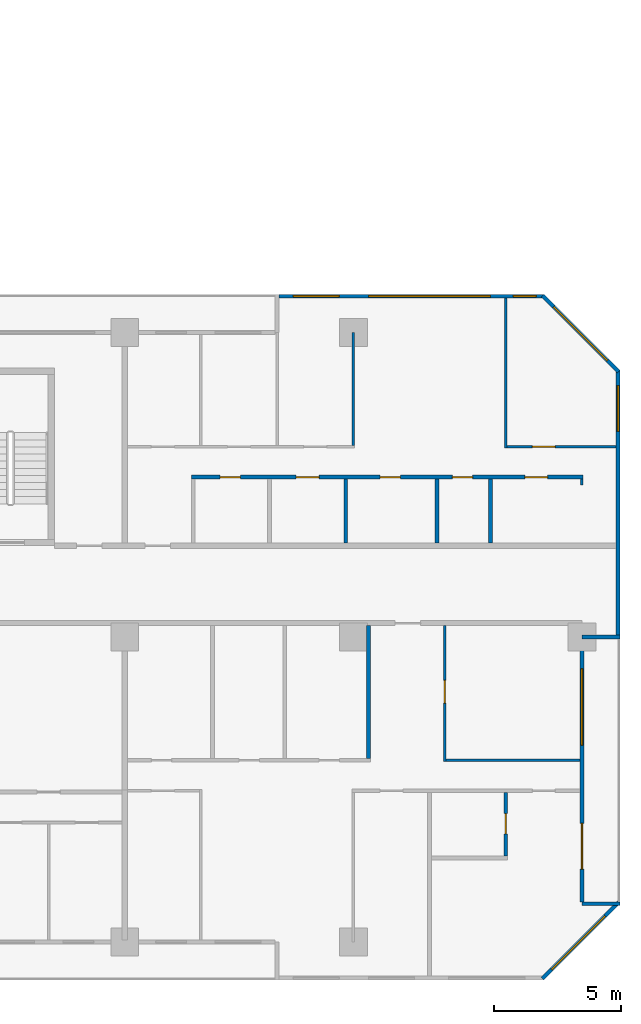
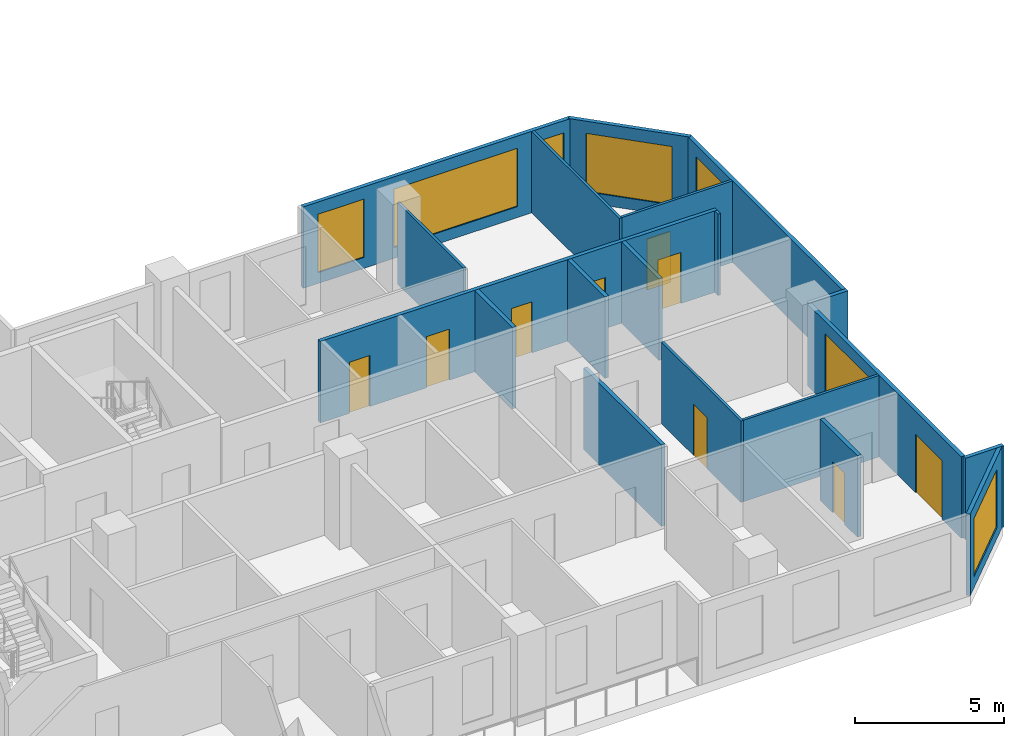
# One storey, part 12 of 15: 19 walls, 9 doors, 7 windows, 16 openings.
"""IFC4 building model written with IfcOpenShell, lengths in metres."""

from ifc_helpers import new_model, si_unit, direction, frame, frame_2d, origin, place, context, subcontext, project, spatial, rectangle, extrude, material, layer, layer_set, type_object, element, fill, save


model = new_model("IFC4")

# Units and contexts
model_context = context("Model", 3, precision=1e-05, world=origin(), true_north=direction((0.0, 1.0)))
body_context = subcontext(model_context, "Body", "Model", "MODEL_VIEW")
ifc_project = project(units=[si_unit("LENGTHUNIT", "METRE"), si_unit("AREAUNIT", "SQUARE_METRE"), si_unit("VOLUMEUNIT", "CUBIC_METRE"), si_unit("PLANEANGLEUNIT", "RADIAN"), si_unit("MASSUNIT", "GRAM", prefix="KILO")], contexts=[model_context])

# Site, building, storey
site_placement = place(None, origin())
site = spatial("IfcSite", under=ifc_project, at=site_placement, CompositionType="ELEMENT")
building_placement = place(site_placement, origin())
building = spatial("IfcBuilding", under=site, at=building_placement, Name="Chenar Terraces", CompositionType="ELEMENT")
storey_placement = place(building_placement, frame((0.0, 0.0, 52.64990234375)))
storey = spatial("IfcBuildingStorey", under=building, at=storey_placement, Name="L10", CompositionType="ELEMENT", Elevation=52.64990234375)

# Wall, openings, windows
ifc_material_1 = material(Name="Aluminium framed glazing", Category="aluminium")
ifc_layer_1 = layer(ifc_material_1, 0.14990234375)
ifc_layer_set_1 = layer_set([ifc_layer_1], Name="Aluminium framed glazing")
wall_type_1 = type_object("IfcWallType", Name="Glazed flush facade wall 150", PredefinedType="SOLIDWALL", material=ifc_layer_set_1)
wall_1_placement = place(storey_placement, frame((70.5, 25.425048828125, 0.0), z_axis=(0.0, 0.0, 1.0), x_axis=(-1.0, 0.0, 0.0)))
wall_1 = element("IfcWall", 1, at=wall_1_placement, inside=storey, type_object=wall_type_1, Name="Glazed flush facade wall", PredefinedType="SOLIDWALL", context=body_context, shape_type="SweptSolid", body=[
    extrude(rectangle(XDim=10.425048828125, YDim=0.14990234375, at=frame_2d((5.21240234375, 0.0))), origin(), (0.0, 0.0, 1.0), 3.35009765625),
])
opening_1_placement = place(wall_1_placement, frame((0.300048828125, 0.0, 0.449951171875)))
opening_1 = element("IfcOpeningElement", 2, at=opening_1_placement, cuts=wall_1, Name="Opening W90x240", PredefinedType="OPENING", context=body_context, shape_type="SweptSolid", body=[
    extrude(rectangle(XDim=0.89990234375, YDim=2.39990234375, at=frame_2d((0.449951171875, 1.199951171875))), frame((0.0, 0.0849609375, 0.0), z_axis=(0.0, -1.0, 0.0), x_axis=(1.0, 0.0, 0.0)), (0.0, 0.0, 1.0), 0.169921875),
])
opening_2_placement = place(wall_1_placement, frame((2.10009765625, 0.0, 0.449951171875)))
opening_2 = element("IfcOpeningElement", 3, at=opening_2_placement, cuts=wall_1, Name="Opening W480x240", PredefinedType="OPENING", context=body_context, shape_type="SweptSolid", body=[
    extrude(rectangle(XDim=4.800048828125, YDim=2.39990234375, at=frame_2d((2.39990234375, 1.199951171875))), frame((0.0, 0.0849609375, 0.0), z_axis=(0.0, -1.0, 0.0), x_axis=(1.0, 0.0, 0.0)), (0.0, 0.0, 1.0), 0.169921875),
])
opening_3_placement = place(wall_1_placement, frame((8.0625, 0.0, 0.449951171875)))
opening_3 = element("IfcOpeningElement", 4, at=opening_3_placement, cuts=wall_1, Name="Opening W180x240", PredefinedType="OPENING", context=body_context, shape_type="SweptSolid", body=[
    extrude(rectangle(XDim=1.800048828125, YDim=2.39990234375, at=frame_2d((0.89990234375, 1.199951171875))), frame((0.0, 0.0849609375, 0.0), z_axis=(0.0, -1.0, 0.0), x_axis=(1.0, 0.0, 0.0)), (0.0, 0.0, 1.0), 0.169921875),
])
ifc_material_2 = material(Name="Low emissivity double glazing, aluminium frame", Category="aluminium")
window_type_1 = type_object("IfcWindowType", Name="Fixed light 1800 x 2400", PartitioningType="SINGLE_PANEL", PredefinedType="WINDOW", material=ifc_material_2)
window_1_placement = place(opening_3_placement, origin())
window_1 = element("IfcWindow", 5, at=window_1_placement, inside=storey, type_object=window_type_1, Name="Window", OverallHeight=2.39990234375, OverallWidth=1.800048828125, PartitioningType="SINGLE_PANEL", PredefinedType="WINDOW", context=body_context, shape_type="SweptSolid", body=[
    extrude(rectangle(XDim=1.800048828125, YDim=2.39990234375, at=frame_2d((0.89990234375, 1.199951171875))), frame((0.0, 0.030029296875, 0.0), z_axis=(0.0, -1.0, 0.0), x_axis=(1.0, 0.0, 0.0)), (0.0, 0.0, 1.0), 0.06005859375),
])
fill(opening_3, window_1)
ifc_material_3 = material(Name="Low emissivity double glazing, aluminium frame", Category="aluminium")
window_type_2 = type_object("IfcWindowType", Name="Fixed light 4800 x 2400", PartitioningType="SINGLE_PANEL", PredefinedType="WINDOW", material=ifc_material_3)
window_2_placement = place(opening_2_placement, origin())
window_2 = element("IfcWindow", 6, at=window_2_placement, inside=storey, type_object=window_type_2, Name="Window", OverallHeight=2.39990234375, OverallWidth=4.800048828125, PartitioningType="SINGLE_PANEL", PredefinedType="WINDOW", context=body_context, shape_type="SweptSolid", body=[
    extrude(rectangle(XDim=4.800048828125, YDim=2.39990234375, at=frame_2d((2.39990234375, 1.199951171875))), frame((0.0, 0.030029296875, 0.0), z_axis=(0.0, -1.0, 0.0), x_axis=(1.0, 0.0, 0.0)), (0.0, 0.0, 1.0), 0.06005859375),
])
fill(opening_2, window_2)
ifc_material_4 = material(Name="Low emissivity double glazing, aluminium frame", Category="aluminium")
window_type_3 = type_object("IfcWindowType", Name="Fixed light 900 x 2400", PartitioningType="SINGLE_PANEL", PredefinedType="WINDOW", material=ifc_material_4)
window_3_placement = place(opening_1_placement, origin())
window_3 = element("IfcWindow", 7, at=window_3_placement, inside=storey, type_object=window_type_3, Name="Window", OverallHeight=2.39990234375, OverallWidth=0.89990234375, PartitioningType="SINGLE_PANEL", PredefinedType="WINDOW", context=body_context, shape_type="SweptSolid", body=[
    extrude(rectangle(XDim=0.89990234375, YDim=2.39990234375, at=frame_2d((0.449951171875, 1.199951171875))), frame((0.0, 0.030029296875, 0.0), z_axis=(0.0, -1.0, 0.0), x_axis=(1.0, 0.0, 0.0)), (0.0, 0.0, 1.0), 0.06005859375),
])
fill(opening_1, window_3)

# Wall, opening, window
wall_2_placement = place(storey_placement, frame((73.425048828125, 12.074951171875, 0.0), z_axis=(0.0, 0.0, 1.0), x_axis=(0.0, 1.0, 0.0)))
wall_2 = element("IfcWall", 8, at=wall_2_placement, inside=storey, type_object=wall_type_1, Name="Glazed flush facade wall", PredefinedType="SOLIDWALL", context=body_context, shape_type="SweptSolid", body=[
    extrude(rectangle(XDim=10.425048828125, YDim=0.14990234375, at=frame_2d((5.21240234375, 0.0))), origin(), (0.0, 0.0, 1.0), 3.35009765625),
])
opening_4_placement = place(wall_2_placement, frame((8.02490234375, 0.0, 0.449951171875)))
opening_4 = element("IfcOpeningElement", 9, at=opening_4_placement, cuts=wall_2, Name="Opening W180x240", PredefinedType="OPENING", context=body_context, shape_type="SweptSolid", body=[
    extrude(rectangle(XDim=1.800048828125, YDim=2.39990234375, at=frame_2d((0.89990234375, 1.199951171875))), frame((0.0, 0.0849609375, 0.0), z_axis=(0.0, -1.0, 0.0), x_axis=(1.0, 0.0, 0.0)), (0.0, 0.0, 1.0), 0.169921875),
])
window_4_placement = place(opening_4_placement, origin())
window_4 = element("IfcWindow", 10, at=window_4_placement, inside=storey, type_object=window_type_1, Name="Window", OverallHeight=2.39990234375, OverallWidth=1.800048828125, PartitioningType="SINGLE_PANEL", PredefinedType="WINDOW", context=body_context, shape_type="SweptSolid", body=[
    extrude(rectangle(XDim=1.800048828125, YDim=2.39990234375, at=frame_2d((0.89990234375, 1.199951171875))), frame((0.0, 0.030029296875, 0.0), z_axis=(0.0, -1.0, 0.0), x_axis=(1.0, 0.0, 0.0)), (0.0, 0.0, 1.0), 0.06005859375),
])
fill(opening_4, window_4)

# Wall, openings, window, door
ifc_material_5 = material(Name="Aluminium framed glazing", Category="aluminium")
ifc_layer_2 = layer(ifc_material_5, 0.14990234375)
ifc_layer_set_2 = layer_set([ifc_layer_2], Name="Aluminium framed glazing")
wall_type_2 = type_object("IfcWallType", Name="Glazed loggia back wall 150", PredefinedType="SOLIDWALL", material=ifc_layer_set_2)
wall_3_placement = place(storey_placement, frame((72.0, 1.574951171875, 0.0), z_axis=(0.0, 0.0, 1.0), x_axis=(0.0, 1.0, 0.0)))
wall_3 = element("IfcWall", 11, at=wall_3_placement, inside=storey, type_object=wall_type_2, Name="Glazed loggia back wall", PredefinedType="SOLIDWALL", context=body_context, shape_type="SweptSolid", body=[
    extrude(rectangle(XDim=10.35009765625, YDim=0.14990234375, at=frame_2d((5.175048828125, 0.0))), origin(), (0.0, 0.0, 1.0), 3.35009765625),
])
opening_5_placement = place(wall_3_placement, frame((1.28759765625, 0.0, 0.0)))
opening_5 = element("IfcOpeningElement", 12, at=opening_5_placement, cuts=wall_3, Name="Opening DL10-G6", PredefinedType="OPENING", context=body_context, shape_type="SweptSolid", body=[
    extrude(rectangle(XDim=1.800048828125, YDim=2.39990234375, at=frame_2d((0.89990234375, 1.199951171875))), frame((0.0, 0.0849609375, 0.0), z_axis=(0.0, -1.0, 0.0), x_axis=(1.0, 0.0, 0.0)), (0.0, 0.0, 1.0), 0.169921875),
])
opening_6_placement = place(wall_3_placement, frame((6.175048828125, 0.0, 0.449951171875)))
opening_6 = element("IfcOpeningElement", 13, at=opening_6_placement, cuts=wall_3, Name="Opening W300x240", PredefinedType="OPENING", context=body_context, shape_type="SweptSolid", body=[
    extrude(rectangle(XDim=3.0, YDim=2.39990234375, at=frame_2d((1.5, 1.199951171875))), frame((0.0, 0.0849609375, 0.0), z_axis=(0.0, -1.0, 0.0), x_axis=(1.0, 0.0, 0.0)), (0.0, 0.0, 1.0), 0.169921875),
])
ifc_material_6 = material(Name="Low emissivity double glazing, aluminium frame", Category="aluminium")
window_type_4 = type_object("IfcWindowType", Name="Fixed light 3000 x 2400", PartitioningType="SINGLE_PANEL", PredefinedType="WINDOW", material=ifc_material_6)
window_5_placement = place(opening_6_placement, origin())
window_5 = element("IfcWindow", 14, at=window_5_placement, inside=storey, type_object=window_type_4, Name="Window", OverallHeight=2.39990234375, OverallWidth=3.0, PartitioningType="SINGLE_PANEL", PredefinedType="WINDOW", context=body_context, shape_type="SweptSolid", body=[
    extrude(rectangle(XDim=3.0, YDim=2.39990234375, at=frame_2d((1.5, 1.199951171875))), frame((0.0, 0.030029296875, 0.0), z_axis=(0.0, -1.0, 0.0), x_axis=(1.0, 0.0, 0.0)), (0.0, 0.0, 1.0), 0.06005859375),
])
fill(opening_6, window_5)
ifc_material_7 = material(Name="Low emissivity double glazing, aluminium frame", Category="aluminium")
door_type_1 = type_object("IfcDoorType", Name="Loggia glazed double door 1800 x 2400", OperationType="DOUBLE_DOOR_SINGLE_SWING", PredefinedType="DOOR", material=ifc_material_7)
door_1_placement = place(opening_5_placement, frame((1.800048828125, 0.0, 0.0), z_axis=(0.0, 0.0, 1.0), x_axis=(-1.0, 0.0, 0.0)))
door_1 = element("IfcDoor", 15, at=door_1_placement, inside=storey, type_object=door_type_1, Name="Loggia glazed door", OperationType="DOUBLE_DOOR_SINGLE_SWING", OverallHeight=2.39990234375, OverallWidth=1.800048828125, PredefinedType="DOOR", context=body_context, shape_type="SweptSolid", body=[
    extrude(rectangle(XDim=1.800048828125, YDim=2.39990234375, at=frame_2d((0.89990234375, 1.199951171875))), frame((0.0, 0.02490234375, 0.0), z_axis=(0.0, -1.0, 0.0), x_axis=(1.0, 0.0, 0.0)), (0.0, 0.0, 1.0), 0.050048828125),
])
fill(opening_5, door_1)

# Wall
ifc_material_8 = material(Name="Gypsum board on steel studs", Category="steel")
ifc_layer_3 = layer(ifc_material_8, 0.10009765625)
ifc_layer_set_3 = layer_set([ifc_layer_3], Name="Gypsum board on steel studs")
wall_type_3 = type_object("IfcWallType", Name="Gypsum partition 100", PredefinedType="PARTITIONING", material=ifc_layer_set_3)
wall_4_placement = place(storey_placement, frame((63.0, 19.550048828125, 0.0), z_axis=(0.0, 0.0, 1.0), x_axis=(0.0, 1.0, 0.0)))
element("IfcWall", 16, at=wall_4_placement, inside=storey, type_object=wall_type_3, Name="Partition L10-099", PredefinedType="PARTITIONING", context=body_context, shape_type="SweptSolid", body=[
    extrude(rectangle(XDim=4.449951171875, YDim=0.10009765625, at=frame_2d((2.22509765625, 0.0))), origin(), (0.0, 0.0, 1.0), 3.35009765625),
])

# Wall, opening, door
wall_5_placement = place(storey_placement, frame((66.60009765625, 7.10009765625, 0.0), z_axis=(0.0, 0.0, 1.0), x_axis=(0.0, 1.0, 0.0)))
wall_5 = element("IfcWall", 17, at=wall_5_placement, inside=storey, type_object=wall_type_3, Name="Partition L10-104", PredefinedType="PARTITIONING", context=body_context, shape_type="SweptSolid", body=[
    extrude(rectangle(XDim=5.349853515625, YDim=0.10009765625, at=frame_2d((2.6748046875, 0.0))), origin(), (0.0, 0.0, 1.0), 3.35009765625),
])
opening_7_placement = place(wall_5_placement, frame((2.300048828125, 0.0, 0.0)))
opening_7 = element("IfcOpeningElement", 18, at=opening_7_placement, cuts=wall_5, Name="Opening DL10-19", PredefinedType="OPENING", context=body_context, shape_type="SweptSolid", body=[
    extrude(rectangle(XDim=0.89990234375, YDim=2.10009765625, at=frame_2d((0.449951171875, 1.050048828125))), frame((0.0, 0.06005859375, 0.0), z_axis=(0.0, -1.0, 0.0), x_axis=(1.0, 0.0, 0.0)), (0.0, 0.0, 1.0), 0.1201171875),
])
ifc_material_9 = material(Name="Veneered timber door leaf", Category="wood")
door_type_2 = type_object("IfcDoorType", Name="Door 900 x 2100", OperationType="SINGLE_SWING_LEFT", PredefinedType="DOOR", material=ifc_material_9)
door_2_placement = place(opening_7_placement, frame((0.89990234375, 0.0, 0.0), z_axis=(0.0, 0.0, 1.0), x_axis=(-1.0, 0.0, 0.0)))
door_2 = element("IfcDoor", 19, at=door_2_placement, inside=storey, type_object=door_type_2, Name="Door DL10-19", OperationType="SINGLE_SWING_RIGHT", OverallHeight=2.10009765625, OverallWidth=0.89990234375, PredefinedType="DOOR", context=body_context, shape_type="SweptSolid", body=[
    extrude(rectangle(XDim=0.89990234375, YDim=2.10009765625, at=frame_2d((0.449951171875, 1.050048828125))), frame((0.0, 0.02490234375, 0.0), z_axis=(0.0, -1.0, 0.0), x_axis=(1.0, 0.0, 0.0)), (0.0, 0.0, 1.0), 0.050048828125),
])
fill(opening_7, door_2)

# Walls
wall_6_placement = place(storey_placement, frame((66.64990234375, 7.14990234375, 0.0), z_axis=(0.0, 0.0, 1.0), x_axis=(1.0, 0.0, 0.0)))
element("IfcWall", 20, at=wall_6_placement, inside=storey, type_object=wall_type_3, Name="Partition L10-105", PredefinedType="PARTITIONING", context=body_context, shape_type="SweptSolid", body=[
    extrude(rectangle(XDim=5.276123046875, YDim=0.10009765625, at=frame_2d((2.63818359375, 0.0))), origin(), (0.0, 0.0, 1.0), 3.35009765625),
])
wall_7_placement = place(storey_placement, frame((69.0, 19.449951171875, 0.0), z_axis=(0.0, 0.0, 1.0), x_axis=(0.0, 1.0, 0.0)))
element("IfcWall", 21, at=wall_7_placement, inside=storey, type_object=wall_type_3, Name="Partition L10-108", PredefinedType="PARTITIONING", context=body_context, shape_type="SweptSolid", body=[
    extrude(rectangle(XDim=5.900146484375, YDim=0.10009765625, at=frame_2d((2.9501953125, 0.0))), origin(), (0.0, 0.0, 1.0), 3.35009765625),
])

# Wall, opening, door
wall_8_placement = place(storey_placement, frame((69.050048828125, 19.5, 0.0), z_axis=(0.0, 0.0, 1.0), x_axis=(1.0, 0.0, 0.0)))
wall_8 = element("IfcWall", 22, at=wall_8_placement, inside=storey, type_object=wall_type_3, Name="Partition L10-109", PredefinedType="PARTITIONING", context=body_context, shape_type="SweptSolid", body=[
    extrude(rectangle(XDim=4.301025390625, YDim=0.10009765625, at=frame_2d((2.150390625, 0.0))), origin(), (0.0, 0.0, 1.0), 3.35009765625),
])
opening_8_placement = place(wall_8_placement, frame((1.0, 0.0, 0.0)))
opening_8 = element("IfcOpeningElement", 23, at=opening_8_placement, cuts=wall_8, Name="Opening DL10-8", PredefinedType="OPENING", context=body_context, shape_type="SweptSolid", body=[
    extrude(rectangle(XDim=0.89990234375, YDim=2.10009765625, at=frame_2d((0.449951171875, 1.050048828125))), frame((0.0, 0.06005859375, 0.0), z_axis=(0.0, -1.0, 0.0), x_axis=(1.0, 0.0, 0.0)), (0.0, 0.0, 1.0), 0.1201171875),
])
door_3_placement = place(opening_8_placement, origin())
door_3 = element("IfcDoor", 24, at=door_3_placement, inside=storey, type_object=door_type_2, Name="Door DL10-8", OperationType="SINGLE_SWING_LEFT", OverallHeight=2.10009765625, OverallWidth=0.89990234375, PredefinedType="DOOR", context=body_context, shape_type="SweptSolid", body=[
    extrude(rectangle(XDim=0.89990234375, YDim=2.10009765625, at=frame_2d((0.449951171875, 1.050048828125))), frame((0.0, 0.02490234375, 0.0), z_axis=(0.0, -1.0, 0.0), x_axis=(1.0, 0.0, 0.0)), (0.0, 0.0, 1.0), 0.050048828125),
])
fill(opening_8, door_3)

# Walls
wall_9_placement = place(storey_placement, frame((72.0, 18.0, 0.0), z_axis=(0.0, 0.0, 1.0), x_axis=(0.0, 1.0, 0.0)))
element("IfcWall", 25, at=wall_9_placement, inside=storey, type_object=wall_type_3, Name="Partition L10-110", PredefinedType="PARTITIONING", context=body_context, shape_type="SweptSolid", body=[
    extrude(rectangle(XDim=0.22509765625, YDim=0.10009765625, at=frame_2d((0.112548828125, 0.0))), origin(), (0.0, 0.0, 1.0), 3.35009765625),
])
ifc_material_10 = material(Name="Terracotta cladding on insulated backing", Category="masonry")
ifc_layer_4 = layer(ifc_material_10, 0.14990234375)
ifc_layer_set_4 = layer_set([ifc_layer_4], Name="Terracotta cladding on insulated backing")
wall_type_4 = type_object("IfcWallType", Name="Loggia return wall 150", PredefinedType="SOLIDWALL", material=ifc_layer_set_4)
for number, where, z_axis, x_axis, name in (
    (26, (73.5, 1.5, 0.0), (0.0, 0.0, 1.0), (-1.0, 0.0, 0.0), "Loggia return wall"),
    (27, (73.5, 12.0, 0.0), (0.0, 0.0, 1.0), (-1.0, 0.0, 0.0), "Loggia return wall"),
):
    element("IfcWall", number, at=place(storey_placement, frame(where, z_axis=z_axis, x_axis=x_axis)), inside=storey, type_object=wall_type_4, Name=name, PredefinedType="SOLIDWALL", context=body_context, shape_type="SweptSolid", body=[
        extrude(rectangle(XDim=1.5, YDim=0.14990234375, at=frame_2d((0.75, 0.0))), origin(), (0.0, 0.0, 1.0), 3.35009765625),
    ])

# Wall, opening, window
ifc_material_11 = material(Name="Terracotta cladding on insulated backing", Category="masonry")
ifc_layer_5 = layer(ifc_material_11, 0.14990234375)
ifc_layer_set_5 = layer_set([ifc_layer_5], Name="Terracotta cladding on insulated backing")
wall_type_5 = type_object("IfcWallType", Name="Terracotta rainscreen wall 150", PredefinedType="SOLIDWALL", material=ifc_layer_set_5)
wall_10_placement = place(storey_placement, frame((70.447021484375, -1.447021484375, 0.0), z_axis=(0.0, 0.0, 1.0), x_axis=(0.707106781187, 0.707106781187, 0.0)))
wall_10 = element("IfcWall", 28, at=wall_10_placement, inside=storey, type_object=wall_type_5, Name="Terracotta rainscreen wall", PredefinedType="SOLIDWALL", context=body_context, shape_type="SweptSolid", body=[
    extrude(rectangle(XDim=4.24267578125, YDim=0.14990234375, at=frame_2d((2.121337890625, 0.0))), origin(), (0.0, 0.0, 1.0), 3.35009765625),
])
opening_9_placement = place(wall_10_placement, frame((0.498046875, 0.0, 0.449951171875)))
opening_9 = element("IfcOpeningElement", 29, at=opening_9_placement, cuts=wall_10, Name="Opening W300x240", PredefinedType="OPENING", context=body_context, shape_type="SweptSolid", body=[
    extrude(rectangle(XDim=3.0, YDim=2.39990234375, at=frame_2d((1.5, 1.199951171875))), frame((0.0, 0.0849609375, 0.0), z_axis=(0.0, -1.0, 0.0), x_axis=(1.0, 0.0, 0.0)), (0.0, 0.0, 1.0), 0.169921875),
])
window_6_placement = place(opening_9_placement, origin())
window_6 = element("IfcWindow", 30, at=window_6_placement, inside=storey, type_object=window_type_4, Name="Window", OverallHeight=2.39990234375, OverallWidth=3.0, PartitioningType="SINGLE_PANEL", PredefinedType="WINDOW", context=body_context, shape_type="SweptSolid", body=[
    extrude(rectangle(XDim=3.0, YDim=2.39990234375, at=frame_2d((1.5, 1.199951171875))), frame((0.0, 0.030029296875, 0.0), z_axis=(0.0, -1.0, 0.0), x_axis=(1.0, 0.0, 0.0)), (0.0, 0.0, 1.0), 0.06005859375),
])
fill(opening_9, window_6)

wall_11_placement = place(storey_placement, frame((73.447021484375, 22.447021484375, 0.0), z_axis=(0.0, 0.0, 1.0), x_axis=(-0.707106781187, 0.707106781187, 0.0)))
wall_11 = element("IfcWall", 31, at=wall_11_placement, inside=storey, type_object=wall_type_5, Name="Terracotta rainscreen wall", PredefinedType="SOLIDWALL", context=body_context, shape_type="SweptSolid", body=[
    extrude(rectangle(XDim=4.24267578125, YDim=0.14990234375, at=frame_2d((2.121337890625, 0.0))), origin(), (0.0, 0.0, 1.0), 3.35009765625),
])
opening_10_placement = place(wall_11_placement, frame((0.621337890625, 0.0, 0.449951171875)))
opening_10 = element("IfcOpeningElement", 32, at=opening_10_placement, cuts=wall_11, Name="Opening W300x240", PredefinedType="OPENING", context=body_context, shape_type="SweptSolid", body=[
    extrude(rectangle(XDim=3.0, YDim=2.39990234375, at=frame_2d((1.5, 1.199951171875))), frame((0.0, 0.0849609375, 0.0), z_axis=(0.0, -1.0, 0.0), x_axis=(1.0, 0.0, 0.0)), (0.0, 0.0, 1.0), 0.169921875),
])
window_7_placement = place(opening_10_placement, origin())
window_7 = element("IfcWindow", 33, at=window_7_placement, inside=storey, type_object=window_type_4, Name="Window", OverallHeight=2.39990234375, OverallWidth=3.0, PartitioningType="SINGLE_PANEL", PredefinedType="WINDOW", context=body_context, shape_type="SweptSolid", body=[
    extrude(rectangle(XDim=3.0, YDim=2.39990234375, at=frame_2d((1.5, 1.199951171875))), frame((0.0, 0.030029296875, 0.0), z_axis=(0.0, -1.0, 0.0), x_axis=(1.0, 0.0, 0.0)), (0.0, 0.0, 1.0), 0.06005859375),
])
fill(opening_10, window_7)

# Wall, openings, doors
ifc_material_12 = material(Name="Moisture-resistant gypsum board on steel studs", Category="steel")
ifc_layer_6 = layer(ifc_material_12, 0.14990234375)
ifc_layer_set_6 = layer_set([ifc_layer_6], Name="Moisture-resistant gypsum board on steel studs")
wall_type_6 = type_object("IfcWallType", Name="Wet-room partition 150", PredefinedType="PARTITIONING", material=ifc_layer_set_6)
wall_12_placement = place(storey_placement, frame((56.625, 18.300048828125, 0.0), z_axis=(0.0, 0.0, 1.0), x_axis=(1.0, 0.0, 0.0)))
wall_12 = element("IfcWall", 34, at=wall_12_placement, inside=storey, type_object=wall_type_6, Name="Partition L10-088", PredefinedType="PARTITIONING", context=body_context, shape_type="SweptSolid", body=[
    extrude(rectangle(XDim=15.425048828125, YDim=0.14990234375, at=frame_2d((7.71240234375, 0.0))), origin(), (0.0, 0.0, 1.0), 3.35009765625),
])
opening_11_placement = place(wall_12_placement, frame((10.27490234375, 0.0, 0.0)))
opening_11 = element("IfcOpeningElement", 35, at=opening_11_placement, cuts=wall_12, Name="Opening DL10-4", PredefinedType="OPENING", context=body_context, shape_type="SweptSolid", body=[
    extrude(rectangle(XDim=0.800048828125, YDim=2.10009765625, at=frame_2d((0.39990234375, 1.050048828125))), frame((0.0, 0.0849609375, 0.0), z_axis=(0.0, -1.0, 0.0), x_axis=(1.0, 0.0, 0.0)), (0.0, 0.0, 1.0), 0.169921875),
])
opening_12_placement = place(wall_12_placement, frame((13.125, 0.0, 0.0)))
opening_12 = element("IfcOpeningElement", 36, at=opening_12_placement, cuts=wall_12, Name="Opening DL10-9", PredefinedType="OPENING", context=body_context, shape_type="SweptSolid", body=[
    extrude(rectangle(XDim=0.89990234375, YDim=2.10009765625, at=frame_2d((0.449951171875, 1.050048828125))), frame((0.0, 0.0849609375, 0.0), z_axis=(0.0, -1.0, 0.0), x_axis=(1.0, 0.0, 0.0)), (0.0, 0.0, 1.0), 0.169921875),
])
opening_13_placement = place(wall_12_placement, frame((7.425048828125, 0.0, 0.0)))
opening_13 = element("IfcOpeningElement", 37, at=opening_13_placement, cuts=wall_12, Name="Opening DL10-10", PredefinedType="OPENING", context=body_context, shape_type="SweptSolid", body=[
    extrude(rectangle(XDim=0.800048828125, YDim=2.10009765625, at=frame_2d((0.39990234375, 1.050048828125))), frame((0.0, 0.0849609375, 0.0), z_axis=(0.0, -1.0, 0.0), x_axis=(1.0, 0.0, 0.0)), (0.0, 0.0, 1.0), 0.169921875),
])
opening_14_placement = place(wall_12_placement, frame((4.125, 0.0, 0.0)))
opening_14 = element("IfcOpeningElement", 38, at=opening_14_placement, cuts=wall_12, Name="Opening DL10-12", PredefinedType="OPENING", context=body_context, shape_type="SweptSolid", body=[
    extrude(rectangle(XDim=0.89990234375, YDim=2.10009765625, at=frame_2d((0.449951171875, 1.050048828125))), frame((0.0, 0.0849609375, 0.0), z_axis=(0.0, -1.0, 0.0), x_axis=(1.0, 0.0, 0.0)), (0.0, 0.0, 1.0), 0.169921875),
])
opening_15_placement = place(wall_12_placement, frame((1.125, 0.0, 0.0)))
opening_15 = element("IfcOpeningElement", 39, at=opening_15_placement, cuts=wall_12, Name="Opening DL10-13", PredefinedType="OPENING", context=body_context, shape_type="SweptSolid", body=[
    extrude(rectangle(XDim=0.800048828125, YDim=2.10009765625, at=frame_2d((0.39990234375, 1.050048828125))), frame((0.0, 0.0849609375, 0.0), z_axis=(0.0, -1.0, 0.0), x_axis=(1.0, 0.0, 0.0)), (0.0, 0.0, 1.0), 0.169921875),
])
ifc_material_13 = material(Name="Veneered timber door leaf", Category="wood")
door_type_3 = type_object("IfcDoorType", Name="Door 800 x 2100", OperationType="SINGLE_SWING_LEFT", PredefinedType="DOOR", material=ifc_material_13)
door_4_placement = place(opening_11_placement, frame((0.800048828125, 0.0, 0.0), z_axis=(0.0, 0.0, 1.0), x_axis=(-1.0, 0.0, 0.0)))
door_4 = element("IfcDoor", 40, at=door_4_placement, inside=storey, type_object=door_type_3, Name="Door DL10-4", OperationType="SINGLE_SWING_RIGHT", OverallHeight=2.10009765625, OverallWidth=0.800048828125, PredefinedType="DOOR", context=body_context, shape_type="SweptSolid", body=[
    extrude(rectangle(XDim=0.800048828125, YDim=2.10009765625, at=frame_2d((0.39990234375, 1.050048828125))), frame((0.0, 0.02490234375, 0.0), z_axis=(0.0, -1.0, 0.0), x_axis=(1.0, 0.0, 0.0)), (0.0, 0.0, 1.0), 0.050048828125),
])
fill(opening_11, door_4)
door_5_placement = place(opening_13_placement, frame((0.800048828125, 0.0, 0.0), z_axis=(0.0, 0.0, 1.0), x_axis=(-1.0, 0.0, 0.0)))
door_5 = element("IfcDoor", 41, at=door_5_placement, inside=storey, type_object=door_type_3, Name="Door DL10-10", OperationType="SINGLE_SWING_RIGHT", OverallHeight=2.10009765625, OverallWidth=0.800048828125, PredefinedType="DOOR", context=body_context, shape_type="SweptSolid", body=[
    extrude(rectangle(XDim=0.800048828125, YDim=2.10009765625, at=frame_2d((0.39990234375, 1.050048828125))), frame((0.0, 0.02490234375, 0.0), z_axis=(0.0, -1.0, 0.0), x_axis=(1.0, 0.0, 0.0)), (0.0, 0.0, 1.0), 0.050048828125),
])
fill(opening_13, door_5)
door_6_placement = place(opening_15_placement, frame((0.800048828125, 0.0, 0.0), z_axis=(0.0, 0.0, 1.0), x_axis=(-1.0, 0.0, 0.0)))
door_6 = element("IfcDoor", 42, at=door_6_placement, inside=storey, type_object=door_type_3, Name="Door DL10-13", OperationType="SINGLE_SWING_RIGHT", OverallHeight=2.10009765625, OverallWidth=0.800048828125, PredefinedType="DOOR", context=body_context, shape_type="SweptSolid", body=[
    extrude(rectangle(XDim=0.800048828125, YDim=2.10009765625, at=frame_2d((0.39990234375, 1.050048828125))), frame((0.0, 0.02490234375, 0.0), z_axis=(0.0, -1.0, 0.0), x_axis=(1.0, 0.0, 0.0)), (0.0, 0.0, 1.0), 0.050048828125),
])
fill(opening_15, door_6)
door_7_placement = place(opening_12_placement, frame((0.89990234375, 0.0, 0.0), z_axis=(0.0, 0.0, 1.0), x_axis=(-1.0, 0.0, 0.0)))
door_7 = element("IfcDoor", 43, at=door_7_placement, inside=storey, type_object=door_type_2, Name="Door DL10-9", OperationType="SINGLE_SWING_RIGHT", OverallHeight=2.10009765625, OverallWidth=0.89990234375, PredefinedType="DOOR", context=body_context, shape_type="SweptSolid", body=[
    extrude(rectangle(XDim=0.89990234375, YDim=2.10009765625, at=frame_2d((0.449951171875, 1.050048828125))), frame((0.0, 0.02490234375, 0.0), z_axis=(0.0, -1.0, 0.0), x_axis=(1.0, 0.0, 0.0)), (0.0, 0.0, 1.0), 0.050048828125),
])
fill(opening_12, door_7)
door_8_placement = place(opening_14_placement, frame((0.89990234375, 0.0, 0.0), z_axis=(0.0, 0.0, 1.0), x_axis=(-1.0, 0.0, 0.0)))
door_8 = element("IfcDoor", 44, at=door_8_placement, inside=storey, type_object=door_type_2, Name="Door DL10-12", OperationType="SINGLE_SWING_RIGHT", OverallHeight=2.10009765625, OverallWidth=0.89990234375, PredefinedType="DOOR", context=body_context, shape_type="SweptSolid", body=[
    extrude(rectangle(XDim=0.89990234375, YDim=2.10009765625, at=frame_2d((0.449951171875, 1.050048828125))), frame((0.0, 0.02490234375, 0.0), z_axis=(0.0, -1.0, 0.0), x_axis=(1.0, 0.0, 0.0)), (0.0, 0.0, 1.0), 0.050048828125),
])
fill(opening_14, door_8)

# Walls
wall_13_placement = place(storey_placement, frame((62.699951171875, 15.699951171875, 0.0), z_axis=(0.0, 0.0, 1.0), x_axis=(0.0, 1.0, 0.0)))
element("IfcWall", 45, at=wall_13_placement, inside=storey, type_object=wall_type_6, Name="Partition L10-096", PredefinedType="PARTITIONING", context=body_context, shape_type="SweptSolid", body=[
    extrude(rectangle(XDim=2.525146484375, YDim=0.14990234375, at=frame_2d((1.2626953125, 0.0))), origin(), (0.0, 0.0, 1.0), 3.35009765625),
])
wall_14_placement = place(storey_placement, frame((63.60009765625, 7.22509765625, 0.0), z_axis=(0.0, 0.0, 1.0), x_axis=(0.0, 1.0, 0.0)))
element("IfcWall", 46, at=wall_14_placement, inside=storey, type_object=wall_type_6, Name="Partition L10-100", PredefinedType="PARTITIONING", context=body_context, shape_type="SweptSolid", body=[
    extrude(rectangle(XDim=5.224853515625, YDim=0.14990234375, at=frame_2d((2.6123046875, 0.0))), origin(), (0.0, 0.0, 1.0), 3.35009765625),
])
for number, where, z_axis, x_axis, name in (
    (47, (66.300048828125, 15.699951171875, 0.0), (0.0, 0.0, 1.0), (0.0, 1.0, 0.0), "Partition L10-103"),
    (48, (68.39990234375, 15.699951171875, 0.0), (0.0, 0.0, 1.0), (0.0, 1.0, 0.0), "Partition L10-106"),
):
    element("IfcWall", number, at=place(storey_placement, frame(where, z_axis=z_axis, x_axis=x_axis)), inside=storey, type_object=wall_type_6, Name=name, PredefinedType="PARTITIONING", context=body_context, shape_type="SweptSolid", body=[
        extrude(rectangle(XDim=2.525146484375, YDim=0.14990234375, at=frame_2d((1.2626953125, 0.0))), origin(), (0.0, 0.0, 1.0), 3.35009765625),
    ])

# Wall, opening, door
wall_15_placement = place(storey_placement, frame((69.0, 3.375, 0.0), z_axis=(0.0, 0.0, 1.0), x_axis=(0.0, 1.0, 0.0)))
wall_15 = element("IfcWall", 49, at=wall_15_placement, inside=storey, type_object=wall_type_6, Name="Partition L10-107", PredefinedType="PARTITIONING", context=body_context, shape_type="SweptSolid", body=[
    extrude(rectangle(XDim=2.5, YDim=0.14990234375, at=frame_2d((1.25, 0.0))), origin(), (0.0, 0.0, 1.0), 3.35009765625),
])
opening_16_placement = place(wall_15_placement, frame((0.875, 0.0, 0.0)))
opening_16 = element("IfcOpeningElement", 50, at=opening_16_placement, cuts=wall_15, Name="Opening DL10-18", PredefinedType="OPENING", context=body_context, shape_type="SweptSolid", body=[
    extrude(rectangle(XDim=0.800048828125, YDim=2.10009765625, at=frame_2d((0.39990234375, 1.050048828125))), frame((0.0, 0.0849609375, 0.0), z_axis=(0.0, -1.0, 0.0), x_axis=(1.0, 0.0, 0.0)), (0.0, 0.0, 1.0), 0.169921875),
])
door_9_placement = place(opening_16_placement, origin())
door_9 = element("IfcDoor", 51, at=door_9_placement, inside=storey, type_object=door_type_3, Name="Door DL10-18", OperationType="SINGLE_SWING_LEFT", OverallHeight=2.10009765625, OverallWidth=0.800048828125, PredefinedType="DOOR", context=body_context, shape_type="SweptSolid", body=[
    extrude(rectangle(XDim=0.800048828125, YDim=2.10009765625, at=frame_2d((0.39990234375, 1.050048828125))), frame((0.0, 0.02490234375, 0.0), z_axis=(0.0, -1.0, 0.0), x_axis=(1.0, 0.0, 0.0)), (0.0, 0.0, 1.0), 0.050048828125),
])
fill(opening_16, door_9)

save(model, "model.ifc")
